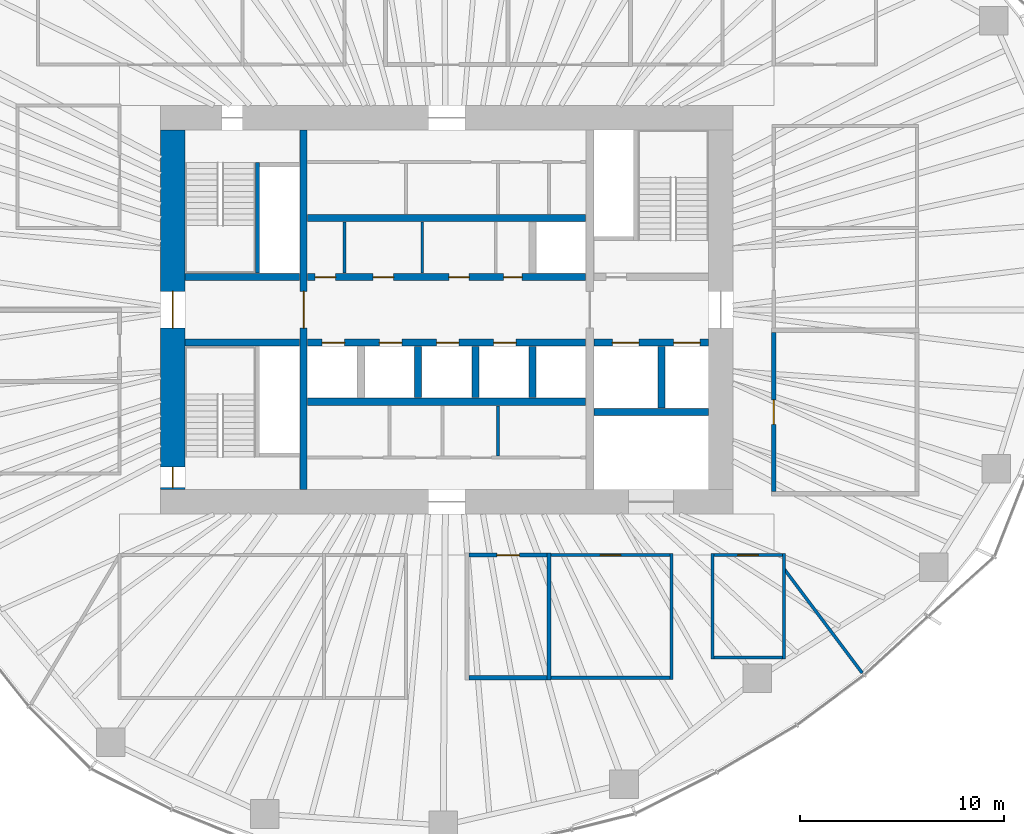
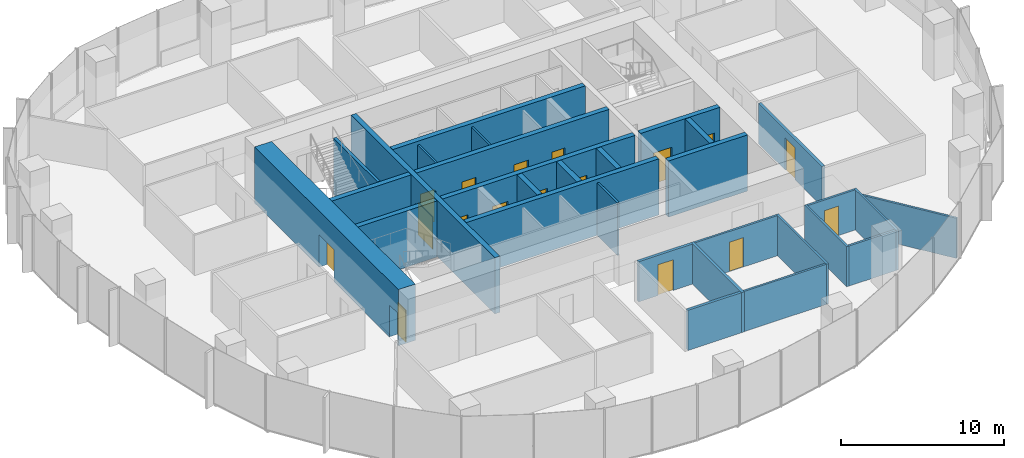
# One storey, part 9 of 18: 30 walls, 17 doors, 17 openings.
"""IFC4 building model written with IfcOpenShell, lengths in metres."""

from ifc_helpers import new_model, si_unit, direction, frame, frame_2d, origin, place, context, subcontext, project, spatial, rectangle, extrude, material, layer, layer_set, type_object, element, fill, save


model = new_model("IFC4")

# Units and contexts
model_context = context("Model", 3, precision=1e-05, world=origin(), true_north=direction((0.0, 1.0)))
body_context = subcontext(model_context, "Body", "Model", "MODEL_VIEW")
ifc_project = project(units=[si_unit("LENGTHUNIT", "METRE"), si_unit("AREAUNIT", "SQUARE_METRE"), si_unit("VOLUMEUNIT", "CUBIC_METRE"), si_unit("PLANEANGLEUNIT", "RADIAN"), si_unit("MASSUNIT", "GRAM", prefix="KILO")], contexts=[model_context])

# Site, building, storey
site_placement = place(None, origin())
site = spatial("IfcSite", under=ifc_project, at=site_placement, CompositionType="ELEMENT")
building_placement = place(site_placement, origin())
building = spatial("IfcBuilding", under=site, at=building_placement, Name="Ghaith Harvest Tower", CompositionType="ELEMENT")
storey_placement = place(building_placement, frame((0.0, 0.0, 159.60009765625)))
storey = spatial("IfcBuildingStorey", under=building, at=storey_placement, Name="L34", CompositionType="ELEMENT", Elevation=159.60009765625)

# Wall
ifc_material_1 = material(Name="Twin-stud gypsum board, acoustic", Category="gypsum")
ifc_layer_1 = layer(ifc_material_1, 0.199951171875)
ifc_layer_set_1 = layer_set([ifc_layer_1], Name="ACOUSTIC PARTITION 200")
wall_type_1 = type_object("IfcWallType", Name="ACOUSTIC PARTITION 200", PredefinedType="PARTITIONING", material=ifc_layer_set_1)
wall_1_placement = place(storey_placement, frame((5.0, -11.89990234375, 0.0), z_axis=(0.0, 0.0, 1.0), x_axis=(0.0, -1.0, 0.0)))
element("IfcWall", 1, at=wall_1_placement, inside=storey, type_object=wall_type_1, Name="Partition L34 row S2 cross wall 2", PredefinedType="PARTITIONING", context=body_context, shape_type="SweptSolid", body=[
    extrude(rectangle(XDim=6.2001953125, YDim=0.199951171875, at=frame_2d((3.10009765625, 0.0))), origin(), (0.0, 0.0, 1.0), 3.0),
])

# Wall, opening, door
wall_2_placement = place(storey_placement, frame((1.10009765625, -12.0, 0.0), z_axis=(0.0, 0.0, 1.0), x_axis=(1.0, 0.0, 0.0)))
wall_2 = element("IfcWall", 2, at=wall_2_placement, inside=storey, type_object=wall_type_1, Name="Partition L34-03", PredefinedType="PARTITIONING", context=body_context, shape_type="SweptSolid", body=[
    extrude(rectangle(XDim=3.7998046875, YDim=0.199951171875, at=frame_2d((1.89990234375, 0.0))), origin(), (0.0, 0.0, 1.0), 3.0),
])
opening_1_placement = place(wall_2_placement, frame((1.35009765625, 0.0, 0.0)))
opening_1 = element("IfcOpeningElement", 3, at=opening_1_placement, cuts=wall_2, Name="Opening 34-031", PredefinedType="OPENING", context=body_context, shape_type="SweptSolid", body=[
    extrude(rectangle(XDim=1.10009765625, YDim=2.300048828125, at=frame_2d((0.550048828125, 1.14990234375))), frame((0.0, 0.10986328125, 0.0), z_axis=(0.0, -1.0, 0.0), x_axis=(1.0, 0.0, 0.0)), (0.0, 0.0, 1.0), 0.219970703125),
])
ifc_material_2 = material(Name="Timber-framed glazed door", Category="wood")
door_type_1 = type_object("IfcDoorType", Name="D12 GLAZED OFFICE 1100x2300", OperationType="SINGLE_SWING_LEFT", PredefinedType="DOOR", material=ifc_material_2)
door_1_placement = place(opening_1_placement, origin())
door_1 = element("IfcDoor", 4, at=door_1_placement, inside=storey, type_object=door_type_1, Name="Focus room door", OperationType="SINGLE_SWING_LEFT", OverallHeight=2.300048828125, OverallWidth=1.10009765625, PredefinedType="DOOR", context=body_context, shape_type="SweptSolid", body=[
    extrude(rectangle(XDim=1.10009765625, YDim=2.300048828125, at=frame_2d((0.550048828125, 1.14990234375))), frame((0.0, 0.02490234375, 0.0), z_axis=(0.0, -1.0, 0.0), x_axis=(1.0, 0.0, 0.0)), (0.0, 0.0, 1.0), 0.050048828125),
])
fill(opening_1, door_1)

# Wall
wall_3_placement = place(storey_placement, frame((1.10009765625, -18.0, 0.0), z_axis=(0.0, 0.0, 1.0), x_axis=(1.0, 0.0, 0.0)))
element("IfcWall", 5, at=wall_3_placement, inside=storey, type_object=wall_type_1, Name="Partition L34-03", PredefinedType="PARTITIONING", context=body_context, shape_type="SweptSolid", body=[
    extrude(rectangle(XDim=3.7998046875, YDim=0.199951171875, at=frame_2d((1.89990234375, 0.0))), origin(), (0.0, 0.0, 1.0), 3.0),
])

# Wall, opening, door
wall_4_placement = place(storey_placement, frame((16.0, -8.89990234375, 0.0), z_axis=(0.0, 0.0, 1.0), x_axis=(0.0, 1.0, 0.0)))
wall_4 = element("IfcWall", 6, at=wall_4_placement, inside=storey, type_object=wall_type_1, Name="Partition L34-10", PredefinedType="PARTITIONING", context=body_context, shape_type="SweptSolid", body=[
    extrude(rectangle(XDim=7.7998046875, YDim=0.199951171875, at=frame_2d((3.89990234375, 0.0))), origin(), (0.0, 0.0, 1.0), 3.0),
])
opening_2_placement = place(wall_4_placement, frame((3.300048828125, 0.0, 0.0)))
opening_2 = element("IfcOpeningElement", 7, at=opening_2_placement, cuts=wall_4, Name="Opening 34-038", PredefinedType="OPENING", context=body_context, shape_type="SweptSolid", body=[
    extrude(rectangle(XDim=1.199951171875, YDim=2.39990234375, at=frame_2d((0.60009765625, 1.199951171875))), frame((0.0, 0.10986328125, 0.0), z_axis=(0.0, -1.0, 0.0), x_axis=(1.0, 0.0, 0.0)), (0.0, 0.0, 1.0), 0.219970703125),
])
ifc_material_3 = material(Name="Timber door", Category="wood")
door_type_2 = type_object("IfcDoorType", Name="D11 GLAZED 1200x2400", OperationType="SINGLE_SWING_LEFT", PredefinedType="DOOR", material=ifc_material_3)
door_2_placement = place(opening_2_placement, origin())
door_2 = element("IfcDoor", 8, at=door_2_placement, inside=storey, type_object=door_type_2, Name="Focus group room door", OperationType="SINGLE_SWING_LEFT", OverallHeight=2.39990234375, OverallWidth=1.199951171875, PredefinedType="DOOR", context=body_context, shape_type="SweptSolid", body=[
    extrude(rectangle(XDim=1.199951171875, YDim=2.39990234375, at=frame_2d((0.60009765625, 1.199951171875))), frame((0.0, 0.02490234375, 0.0), z_axis=(0.0, -1.0, 0.0), x_axis=(1.0, 0.0, 0.0)), (0.0, 0.0, 1.0), 0.050048828125),
])
fill(opening_2, door_2)

# Walls
ifc_material_4 = material(Name="Concrete blockwork, fair-faced", Category="masonry")
ifc_layer_2 = layer(ifc_material_4, 0.139892578125)
ifc_layer_set_2 = layer_set([ifc_layer_2], Name="CORE PARTITION 140")
wall_type_2 = type_object("IfcWallType", Name="CORE PARTITION 140", PredefinedType="PARTITIONING", material=ifc_layer_set_2)
wall_5_placement = place(storey_placement, frame((2.5, -4.699951171875, 0.0), z_axis=(0.0, 0.0, 1.0), x_axis=(0.0, -1.0, 0.0)))
element("IfcWall", 9, at=wall_5_placement, inside=storey, type_object=wall_type_2, Name="Core partition L34", PredefinedType="PARTITIONING", context=body_context, shape_type="SweptSolid", body=[
    extrude(rectangle(XDim=2.4599609375, YDim=0.139892578125, at=frame_2d((1.22998046875, 0.0))), origin(), (0.0, 0.0, 1.0), 3.949951171875),
])
for number, where, z_axis, x_axis, name in (
    (10, (-5.0, 1.800048828125, 0.0), (0.0, 0.0, 1.0), (0.0, 1.0, 0.0), "Core partition L34"),
    (11, (-1.199951171875, 1.800048828125, 0.0), (0.0, 0.0, 1.0), (0.0, 1.0, 0.0), "Core partition L34"),
):
    element("IfcWall", number, at=place(storey_placement, frame(where, z_axis=z_axis, x_axis=x_axis)), inside=storey, type_object=wall_type_2, Name=name, PredefinedType="PARTITIONING", context=body_context, shape_type="SweptSolid", body=[
        extrude(rectangle(XDim=2.5, YDim=0.139892578125, at=frame_2d((1.25, 0.0))), origin(), (0.0, 0.0, 1.0), 3.949951171875),
    ])

# Wall, openings, doors
ifc_material_5 = material(Name="Concrete C60/75", Category="concrete")
ifc_layer_3 = layer(ifc_material_5, 1.199951171875)
ifc_layer_set_3 = layer_set([ifc_layer_3], Name="CORE WALL CW1200 C60")
wall_type_3 = type_object("IfcWallType", Name="CORE WALL CW1200 C60", PredefinedType="SHEAR", material=ifc_layer_set_3)
wall_6_placement = place(storey_placement, frame((-13.39990234375, 8.800048828125, 0.0), z_axis=(0.0, 0.0, 1.0), x_axis=(0.0, -1.0, 0.0)))
wall_6 = element("IfcWall", 12, at=wall_6_placement, inside=storey, type_object=wall_type_3, Name="Core wall W L34", PredefinedType="SHEAR", context=body_context, shape_type="SweptSolid", body=[
    extrude(rectangle(XDim=17.60009765625, YDim=1.199951171875, at=frame_2d((8.800048828125, 0.0))), origin(), (0.0, 0.0, 1.0), 4.199951171875),
])
opening_3_placement = place(wall_6_placement, frame((7.89990234375, 0.0, 0.0)))
opening_3 = element("IfcOpeningElement", 13, at=opening_3_placement, cuts=wall_6, Name="Opening 34-001", PredefinedType="OPENING", context=body_context, shape_type="SweptSolid", body=[
    extrude(rectangle(XDim=1.800048828125, YDim=2.39990234375, at=frame_2d((0.89990234375, 1.199951171875))), frame((0.0, 0.60986328125, 0.0), z_axis=(0.0, -1.0, 0.0), x_axis=(1.0, 0.0, 0.0)), (0.0, 0.0, 1.0), 1.219970703125),
])
opening_4_placement = place(wall_6_placement, frame((16.5, 0.0, 0.0)))
opening_4 = element("IfcOpeningElement", 14, at=opening_4_placement, cuts=wall_6, Name="Opening 34-006", PredefinedType="OPENING", context=body_context, shape_type="SweptSolid", body=[
    extrude(rectangle(XDim=1.0, YDim=2.39990234375, at=frame_2d((0.5, 1.199951171875))), frame((0.0, 0.60986328125, 0.0), z_axis=(0.0, -1.0, 0.0), x_axis=(1.0, 0.0, 0.0)), (0.0, 0.0, 1.0), 1.219970703125),
])
ifc_material_6 = material(Name="Steel fire door", Category="steel")
door_type_3 = type_object("IfcDoorType", Name="D3 FD90 1000x2400", OperationType="SINGLE_SWING_LEFT", PredefinedType="DOOR", material=ifc_material_6)
door_3_placement = place(opening_4_placement, origin())
door_3 = element("IfcDoor", 15, at=door_3_placement, inside=storey, type_object=door_type_3, Name="Stair ST3 door", OperationType="SINGLE_SWING_RIGHT", OverallHeight=2.39990234375, OverallWidth=1.0, PredefinedType="DOOR", context=body_context, shape_type="SweptSolid", body=[
    extrude(rectangle(XDim=1.0, YDim=2.39990234375, at=frame_2d((0.5, 1.199951171875))), frame((0.0, 0.02490234375, 0.0), z_axis=(0.0, -1.0, 0.0), x_axis=(1.0, 0.0, 0.0)), (0.0, 0.0, 1.0), 0.050048828125),
])
fill(opening_4, door_3)
ifc_material_7 = material(Name="Steel fire door", Category="steel")
door_type_4 = type_object("IfcDoorType", Name="D4 FD90 PAIR 1800x2400", OperationType="DOUBLE_DOOR_SINGLE_SWING", PredefinedType="DOOR", material=ifc_material_7)
door_4_placement = place(opening_3_placement, origin())
door_4 = element("IfcDoor", 16, at=door_4_placement, inside=storey, type_object=door_type_4, Name="West lobby doors", OperationType="DOUBLE_DOOR_SINGLE_SWING", OverallHeight=2.39990234375, OverallWidth=1.800048828125, PredefinedType="DOOR", context=body_context, shape_type="SweptSolid", body=[
    extrude(rectangle(XDim=1.800048828125, YDim=2.39990234375, at=frame_2d((0.89990234375, 1.199951171875))), frame((0.0, 0.02490234375, 0.0), z_axis=(0.0, -1.0, 0.0), x_axis=(1.0, 0.0, 0.0)), (0.0, 0.0, 1.0), 0.050048828125),
])
fill(opening_3, door_4)

# Wall
ifc_material_8 = material(Name="Gypsum board on steel studs", Category="steel")
ifc_layer_4 = layer(ifc_material_8, 0.14990234375)
ifc_layer_set_4 = layer_set([ifc_layer_4], Name="PARTITION 150")
wall_type_4 = type_object("IfcWallType", Name="PARTITION 150", PredefinedType="PARTITIONING", material=ifc_layer_set_4)
wall_7_placement = place(storey_placement, frame((11.0, -11.925048828125, 0.0), z_axis=(0.0, 0.0, 1.0), x_axis=(0.0, -1.0, 0.0)))
element("IfcWall", 17, at=wall_7_placement, inside=storey, type_object=wall_type_4, Name="Partition L34 row S2 cross wall 3", PredefinedType="PARTITIONING", context=body_context, shape_type="SweptSolid", body=[
    extrude(rectangle(XDim=6.14990234375, YDim=0.14990234375, at=frame_2d((3.074951171875, 0.0))), origin(), (0.0, 0.0, 1.0), 3.0),
])

# Wall, opening, door
wall_8_placement = place(storey_placement, frame((5.10009765625, -12.0, 0.0), z_axis=(0.0, 0.0, 1.0), x_axis=(1.0, 0.0, 0.0)))
wall_8 = element("IfcWall", 18, at=wall_8_placement, inside=storey, type_object=wall_type_4, Name="Partition L34-04", PredefinedType="PARTITIONING", context=body_context, shape_type="SweptSolid", body=[
    extrude(rectangle(XDim=5.824951171875, YDim=0.14990234375, at=frame_2d((2.91259765625, 0.0))), origin(), (0.0, 0.0, 1.0), 3.0),
])
opening_5_placement = place(wall_8_placement, frame((2.41259765625, 0.0, 0.0)))
opening_5 = element("IfcOpeningElement", 19, at=opening_5_placement, cuts=wall_8, Name="Opening 34-032", PredefinedType="OPENING", context=body_context, shape_type="SweptSolid", body=[
    extrude(rectangle(XDim=1.0, YDim=2.199951171875, at=frame_2d((0.5, 1.10009765625))), frame((0.0, 0.0849609375, 0.0), z_axis=(0.0, -1.0, 0.0), x_axis=(1.0, 0.0, 0.0)), (0.0, 0.0, 1.0), 0.169921875),
])
ifc_material_9 = material(Name="Timber door", Category="wood")
door_type_5 = type_object("IfcDoorType", Name="D1 SINGLE 1000x2200", OperationType="SINGLE_SWING_LEFT", PredefinedType="DOOR", material=ifc_material_9)
door_5_placement = place(opening_5_placement, origin())
door_5 = element("IfcDoor", 20, at=door_5_placement, inside=storey, type_object=door_type_5, Name="Print room door", OperationType="SINGLE_SWING_LEFT", OverallHeight=2.199951171875, OverallWidth=1.0, PredefinedType="DOOR", context=body_context, shape_type="SweptSolid", body=[
    extrude(rectangle(XDim=1.0, YDim=2.199951171875, at=frame_2d((0.5, 1.10009765625))), frame((0.0, 0.02490234375, 0.0), z_axis=(0.0, -1.0, 0.0), x_axis=(1.0, 0.0, 0.0)), (0.0, 0.0, 1.0), 0.050048828125),
])
fill(opening_5, door_5)

# Walls
wall_9_placement = place(storey_placement, frame((5.10009765625, -18.0, 0.0), z_axis=(0.0, 0.0, 1.0), x_axis=(1.0, 0.0, 0.0)))
element("IfcWall", 21, at=wall_9_placement, inside=storey, type_object=wall_type_4, Name="Partition L34-04", PredefinedType="PARTITIONING", context=body_context, shape_type="SweptSolid", body=[
    extrude(rectangle(XDim=5.824951171875, YDim=0.14990234375, at=frame_2d((2.91259765625, 0.0))), origin(), (0.0, 0.0, 1.0), 3.0),
])
for number, where, z_axis, x_axis, name in (
    (22, (13.0, -11.925048828125, 0.0), (0.0, 0.0, 1.0), (0.0, -1.0, 0.0), "Partition L34 row S8 cross wall 1"),
    (23, (16.5, -11.925048828125, 0.0), (0.0, 0.0, 1.0), (0.0, -1.0, 0.0), "Partition L34 row S8 cross wall 2"),
):
    element("IfcWall", number, at=place(storey_placement, frame(where, z_axis=z_axis, x_axis=x_axis)), inside=storey, type_object=wall_type_4, Name=name, PredefinedType="PARTITIONING", context=body_context, shape_type="SweptSolid", body=[
        extrude(rectangle(XDim=5.14990234375, YDim=0.14990234375, at=frame_2d((2.574951171875, 0.0))), origin(), (0.0, 0.0, 1.0), 3.0),
    ])

# Wall, opening, door
wall_10_placement = place(storey_placement, frame((13.074951171875, -12.0, 0.0), z_axis=(0.0, 0.0, 1.0), x_axis=(1.0, 0.0, 0.0)))
wall_10 = element("IfcWall", 24, at=wall_10_placement, inside=storey, type_object=wall_type_4, Name="Partition L34-16", PredefinedType="PARTITIONING", context=body_context, shape_type="SweptSolid", body=[
    extrude(rectangle(XDim=3.35009765625, YDim=0.14990234375, at=frame_2d((1.675048828125, 0.0))), origin(), (0.0, 0.0, 1.0), 3.0),
])
opening_6_placement = place(wall_10_placement, frame((1.175048828125, 0.0, 0.0)))
opening_6 = element("IfcOpeningElement", 25, at=opening_6_placement, cuts=wall_10, Name="Opening 34-044", PredefinedType="OPENING", context=body_context, shape_type="SweptSolid", body=[
    extrude(rectangle(XDim=1.0, YDim=2.199951171875, at=frame_2d((0.5, 1.10009765625))), frame((0.0, 0.0849609375, 0.0), z_axis=(0.0, -1.0, 0.0), x_axis=(1.0, 0.0, 0.0)), (0.0, 0.0, 1.0), 0.169921875),
])
door_6_placement = place(opening_6_placement, origin())
door_6 = element("IfcDoor", 26, at=door_6_placement, inside=storey, type_object=door_type_5, Name="Store door", OperationType="SINGLE_SWING_LEFT", OverallHeight=2.199951171875, OverallWidth=1.0, PredefinedType="DOOR", context=body_context, shape_type="SweptSolid", body=[
    extrude(rectangle(XDim=1.0, YDim=2.199951171875, at=frame_2d((0.5, 1.10009765625))), frame((0.0, 0.02490234375, 0.0), z_axis=(0.0, -1.0, 0.0), x_axis=(1.0, 0.0, 0.0)), (0.0, 0.0, 1.0), 0.050048828125),
])
fill(opening_6, door_6)

# Walls
wall_11_placement = place(storey_placement, frame((13.074951171875, -17.0, 0.0), z_axis=(0.0, 0.0, 1.0), x_axis=(1.0, 0.0, 0.0)))
element("IfcWall", 27, at=wall_11_placement, inside=storey, type_object=wall_type_4, Name="Partition L34-16", PredefinedType="PARTITIONING", context=body_context, shape_type="SweptSolid", body=[
    extrude(rectangle(XDim=3.35009765625, YDim=0.14990234375, at=frame_2d((1.675048828125, 0.0))), origin(), (0.0, 0.0, 1.0), 3.0),
])
wall_12_placement = place(storey_placement, frame((16.52001953125, -12.693115234375, 0.0), z_axis=(0.0, 0.0, 1.0), x_axis=(0.600036938918, -0.799972294479, 0.0)))
element("IfcWall", 28, at=wall_12_placement, inside=storey, type_object=wall_type_4, Name="Partition L34 zone division", PredefinedType="PARTITIONING", context=body_context, shape_type="SweptSolid", body=[
    extrude(rectangle(XDim=6.3447265625, YDim=0.14990234375, at=frame_2d((3.17236328125, 0.0))), origin(), (0.0, 0.0, 1.0), 3.0),
])

# Wall, opening, door
ifc_material_10 = material(Name="Concrete C60/75", Category="concrete")
ifc_layer_5 = layer(ifc_material_10, 0.35009765625)
ifc_layer_set_5 = layer_set([ifc_layer_5], Name="SHAFT WALL 350")
wall_type_5 = type_object("IfcWallType", Name="SHAFT WALL 350", PredefinedType="SHEAR", material=ifc_layer_set_5)
wall_13_placement = place(storey_placement, frame((-7.0, -8.800048828125, 0.0), z_axis=(0.0, 0.0, 1.0), x_axis=(0.0, 1.0, 0.0)))
wall_13 = element("IfcWall", 29, at=wall_13_placement, inside=storey, type_object=wall_type_5, Name="Shaft wall W7W L34", PredefinedType="SHEAR", context=body_context, shape_type="SweptSolid", body=[
    extrude(rectangle(XDim=17.60009765625, YDim=0.35009765625, at=frame_2d((8.800048828125, 0.0))), origin(), (0.0, 0.0, 1.0), 4.199951171875),
])
opening_7_placement = place(wall_13_placement, frame((7.89990234375, 0.0, 0.0)))
opening_7 = element("IfcOpeningElement", 30, at=opening_7_placement, cuts=wall_13, Name="Opening 34-003", PredefinedType="OPENING", context=body_context, shape_type="SweptSolid", body=[
    extrude(rectangle(XDim=1.800048828125, YDim=2.39990234375, at=frame_2d((0.89990234375, 1.199951171875))), frame((0.0, 0.18505859375, 0.0), z_axis=(0.0, -1.0, 0.0), x_axis=(1.0, 0.0, 0.0)), (0.0, 0.0, 1.0), 0.3701171875),
])
door_7_placement = place(opening_7_placement, origin())
door_7 = element("IfcDoor", 31, at=door_7_placement, inside=storey, type_object=door_type_4, Name="Lift lobby doors, west", OperationType="DOUBLE_DOOR_SINGLE_SWING", OverallHeight=2.39990234375, OverallWidth=1.800048828125, PredefinedType="DOOR", context=body_context, shape_type="SweptSolid", body=[
    extrude(rectangle(XDim=1.800048828125, YDim=2.39990234375, at=frame_2d((0.89990234375, 1.199951171875))), frame((0.0, 0.02490234375, 0.0), z_axis=(0.0, -1.0, 0.0), x_axis=(1.0, 0.0, 0.0)), (0.0, 0.0, 1.0), 0.050048828125),
])
fill(opening_7, door_7)

# Wall, openings, doors
wall_14_placement = place(storey_placement, frame((-6.800048828125, 1.60009765625, 0.0), z_axis=(0.0, 0.0, 1.0), x_axis=(1.0, 0.0, 0.0)))
wall_14 = element("IfcWall", 32, at=wall_14_placement, inside=storey, type_object=wall_type_5, Name="Shaft wall LN L34", PredefinedType="SHEAR", context=body_context, shape_type="SweptSolid", body=[
    extrude(rectangle(XDim=13.60009765625, YDim=0.35009765625, at=frame_2d((6.800048828125, 0.0))), origin(), (0.0, 0.0, 1.0), 4.199951171875),
])
opening_8_placement = place(wall_14_placement, frame((0.364990234375, 0.0, 0.0)))
opening_8 = element("IfcOpeningElement", 33, at=opening_8_placement, cuts=wall_14, Name="Opening 34-016", PredefinedType="OPENING", context=body_context, shape_type="SweptSolid", body=[
    extrude(rectangle(XDim=1.0, YDim=2.39990234375, at=frame_2d((0.5, 1.199951171875))), frame((0.0, 0.18505859375, 0.0), z_axis=(0.0, -1.0, 0.0), x_axis=(1.0, 0.0, 0.0)), (0.0, 0.0, 1.0), 0.3701171875),
])
opening_9_placement = place(wall_14_placement, frame((3.199951171875, 0.0, 0.0)))
opening_9 = element("IfcOpeningElement", 34, at=opening_9_placement, cuts=wall_14, Name="Opening 34-017", PredefinedType="OPENING", context=body_context, shape_type="SweptSolid", body=[
    extrude(rectangle(XDim=1.0, YDim=2.39990234375, at=frame_2d((0.5, 1.199951171875))), frame((0.0, 0.18505859375, 0.0), z_axis=(0.0, -1.0, 0.0), x_axis=(1.0, 0.0, 0.0)), (0.0, 0.0, 1.0), 0.3701171875),
])
opening_10_placement = place(wall_14_placement, frame((6.89990234375, 0.0, 0.0)))
opening_10 = element("IfcOpeningElement", 35, at=opening_10_placement, cuts=wall_14, Name="Opening 34-018", PredefinedType="OPENING", context=body_context, shape_type="SweptSolid", body=[
    extrude(rectangle(XDim=1.0, YDim=2.39990234375, at=frame_2d((0.5, 1.199951171875))), frame((0.0, 0.18505859375, 0.0), z_axis=(0.0, -1.0, 0.0), x_axis=(1.0, 0.0, 0.0)), (0.0, 0.0, 1.0), 0.3701171875),
])
opening_11_placement = place(wall_14_placement, frame((9.5849609375, 0.0, 0.0)))
opening_11 = element("IfcOpeningElement", 36, at=opening_11_placement, cuts=wall_14, Name="Opening 34-019", PredefinedType="OPENING", context=body_context, shape_type="SweptSolid", body=[
    extrude(rectangle(XDim=0.89990234375, YDim=2.39990234375, at=frame_2d((0.449951171875, 1.199951171875))), frame((0.0, 0.18505859375, 0.0), z_axis=(0.0, -1.0, 0.0), x_axis=(1.0, 0.0, 0.0)), (0.0, 0.0, 1.0), 0.3701171875),
])
door_8_placement = place(opening_8_placement, origin())
door_8 = element("IfcDoor", 37, at=door_8_placement, inside=storey, type_object=door_type_3, Name="First aid room door", OperationType="SINGLE_SWING_LEFT", OverallHeight=2.39990234375, OverallWidth=1.0, PredefinedType="DOOR", context=body_context, shape_type="SweptSolid", body=[
    extrude(rectangle(XDim=1.0, YDim=2.39990234375, at=frame_2d((0.5, 1.199951171875))), frame((0.0, 0.02490234375, 0.0), z_axis=(0.0, -1.0, 0.0), x_axis=(1.0, 0.0, 0.0)), (0.0, 0.0, 1.0), 0.050048828125),
])
fill(opening_8, door_8)
door_9_placement = place(opening_9_placement, origin())
door_9 = element("IfcDoor", 38, at=door_9_placement, inside=storey, type_object=door_type_3, Name="Tea point door", OperationType="SINGLE_SWING_LEFT", OverallHeight=2.39990234375, OverallWidth=1.0, PredefinedType="DOOR", context=body_context, shape_type="SweptSolid", body=[
    extrude(rectangle(XDim=1.0, YDim=2.39990234375, at=frame_2d((0.5, 1.199951171875))), frame((0.0, 0.02490234375, 0.0), z_axis=(0.0, -1.0, 0.0), x_axis=(1.0, 0.0, 0.0)), (0.0, 0.0, 1.0), 0.050048828125),
])
fill(opening_9, door_9)
door_10_placement = place(opening_10_placement, origin())
door_10 = element("IfcDoor", 39, at=door_10_placement, inside=storey, type_object=door_type_3, Name="Tea point door", OperationType="SINGLE_SWING_RIGHT", OverallHeight=2.39990234375, OverallWidth=1.0, PredefinedType="DOOR", context=body_context, shape_type="SweptSolid", body=[
    extrude(rectangle(XDim=1.0, YDim=2.39990234375, at=frame_2d((0.5, 1.199951171875))), frame((0.0, 0.02490234375, 0.0), z_axis=(0.0, -1.0, 0.0), x_axis=(1.0, 0.0, 0.0)), (0.0, 0.0, 1.0), 0.050048828125),
])
fill(opening_10, door_10)
ifc_material_11 = material(Name="Steel fire door", Category="steel")
door_type_6 = type_object("IfcDoorType", Name="D5 FD90 900x2400", OperationType="SINGLE_SWING_LEFT", PredefinedType="DOOR", material=ifc_material_11)
door_11_placement = place(opening_11_placement, origin())
door_11 = element("IfcDoor", 40, at=door_11_placement, inside=storey, type_object=door_type_6, Name="Lobby store door", OperationType="SINGLE_SWING_RIGHT", OverallHeight=2.39990234375, OverallWidth=0.89990234375, PredefinedType="DOOR", context=body_context, shape_type="SweptSolid", body=[
    extrude(rectangle(XDim=0.89990234375, YDim=2.39990234375, at=frame_2d((0.449951171875, 1.199951171875))), frame((0.0, 0.02490234375, 0.0), z_axis=(0.0, -1.0, 0.0), x_axis=(1.0, 0.0, 0.0)), (0.0, 0.0, 1.0), 0.050048828125),
])
fill(opening_11, door_11)

wall_15_placement = place(storey_placement, frame((-6.800048828125, -1.60009765625, 0.0), z_axis=(0.0, 0.0, 1.0), x_axis=(1.0, 0.0, 0.0)))
wall_15 = element("IfcWall", 41, at=wall_15_placement, inside=storey, type_object=wall_type_5, Name="Shaft wall LS L34", PredefinedType="SHEAR", context=body_context, shape_type="SweptSolid", body=[
    extrude(rectangle(XDim=13.60009765625, YDim=0.35009765625, at=frame_2d((6.800048828125, 0.0))), origin(), (0.0, 0.0, 1.0), 4.199951171875),
])
opening_12_placement = place(wall_15_placement, frame((0.699951171875, 0.0, 0.0)))
opening_12 = element("IfcOpeningElement", 42, at=opening_12_placement, cuts=wall_15, Name="Opening 34-022", PredefinedType="OPENING", context=body_context, shape_type="SweptSolid", body=[
    extrude(rectangle(XDim=1.10009765625, YDim=2.39990234375, at=frame_2d((0.550048828125, 1.199951171875))), frame((0.0, 0.18505859375, 0.0), z_axis=(0.0, -1.0, 0.0), x_axis=(1.0, 0.0, 0.0)), (0.0, 0.0, 1.0), 0.3701171875),
])
opening_13_placement = place(wall_15_placement, frame((3.5, 0.0, 0.0)))
opening_13 = element("IfcOpeningElement", 43, at=opening_13_placement, cuts=wall_15, Name="Opening 34-023", PredefinedType="OPENING", context=body_context, shape_type="SweptSolid", body=[
    extrude(rectangle(XDim=1.10009765625, YDim=2.39990234375, at=frame_2d((0.550048828125, 1.199951171875))), frame((0.0, 0.18505859375, 0.0), z_axis=(0.0, -1.0, 0.0), x_axis=(1.0, 0.0, 0.0)), (0.0, 0.0, 1.0), 0.3701171875),
])
opening_14_placement = place(wall_15_placement, frame((6.300048828125, 0.0, 0.0)))
opening_14 = element("IfcOpeningElement", 44, at=opening_14_placement, cuts=wall_15, Name="Opening 34-024", PredefinedType="OPENING", context=body_context, shape_type="SweptSolid", body=[
    extrude(rectangle(XDim=1.10009765625, YDim=2.39990234375, at=frame_2d((0.550048828125, 1.199951171875))), frame((0.0, 0.18505859375, 0.0), z_axis=(0.0, -1.0, 0.0), x_axis=(1.0, 0.0, 0.0)), (0.0, 0.0, 1.0), 0.3701171875),
])
opening_15_placement = place(wall_15_placement, frame((9.10009765625, 0.0, 0.0)))
opening_15 = element("IfcOpeningElement", 45, at=opening_15_placement, cuts=wall_15, Name="Opening 34-025", PredefinedType="OPENING", context=body_context, shape_type="SweptSolid", body=[
    extrude(rectangle(XDim=1.10009765625, YDim=2.39990234375, at=frame_2d((0.550048828125, 1.199951171875))), frame((0.0, 0.18505859375, 0.0), z_axis=(0.0, -1.0, 0.0), x_axis=(1.0, 0.0, 0.0)), (0.0, 0.0, 1.0), 0.3701171875),
])
ifc_material_12 = material(Name="Steel fire door", Category="steel")
door_type_7 = type_object("IfcDoorType", Name="LD1 LANDING 1100x2400", OperationType="DOUBLE_DOOR_SLIDING", PredefinedType="DOOR", material=ifc_material_12)
door_12_placement = place(opening_12_placement, origin())
door_12 = element("IfcDoor", 46, at=door_12_placement, inside=storey, type_object=door_type_7, Name="Landing door, lift LR1", OperationType="DOUBLE_DOOR_SLIDING", OverallHeight=2.39990234375, OverallWidth=1.10009765625, PredefinedType="DOOR", context=body_context, shape_type="SweptSolid", body=[
    extrude(rectangle(XDim=1.10009765625, YDim=2.39990234375, at=frame_2d((0.550048828125, 1.199951171875))), frame((0.0, 0.02490234375, 0.0), z_axis=(0.0, -1.0, 0.0), x_axis=(1.0, 0.0, 0.0)), (0.0, 0.0, 1.0), 0.050048828125),
])
fill(opening_12, door_12)
door_13_placement = place(opening_13_placement, origin())
door_13 = element("IfcDoor", 47, at=door_13_placement, inside=storey, type_object=door_type_7, Name="Landing door, lift LR2", OperationType="DOUBLE_DOOR_SLIDING", OverallHeight=2.39990234375, OverallWidth=1.10009765625, PredefinedType="DOOR", context=body_context, shape_type="SweptSolid", body=[
    extrude(rectangle(XDim=1.10009765625, YDim=2.39990234375, at=frame_2d((0.550048828125, 1.199951171875))), frame((0.0, 0.02490234375, 0.0), z_axis=(0.0, -1.0, 0.0), x_axis=(1.0, 0.0, 0.0)), (0.0, 0.0, 1.0), 0.050048828125),
])
fill(opening_13, door_13)
door_14_placement = place(opening_14_placement, origin())
door_14 = element("IfcDoor", 48, at=door_14_placement, inside=storey, type_object=door_type_7, Name="Landing door, lift LR3", OperationType="DOUBLE_DOOR_SLIDING", OverallHeight=2.39990234375, OverallWidth=1.10009765625, PredefinedType="DOOR", context=body_context, shape_type="SweptSolid", body=[
    extrude(rectangle(XDim=1.10009765625, YDim=2.39990234375, at=frame_2d((0.550048828125, 1.199951171875))), frame((0.0, 0.02490234375, 0.0), z_axis=(0.0, -1.0, 0.0), x_axis=(1.0, 0.0, 0.0)), (0.0, 0.0, 1.0), 0.050048828125),
])
fill(opening_14, door_14)
door_15_placement = place(opening_15_placement, origin())
door_15 = element("IfcDoor", 49, at=door_15_placement, inside=storey, type_object=door_type_7, Name="Landing door, lift LR4", OperationType="DOUBLE_DOOR_SLIDING", OverallHeight=2.39990234375, OverallWidth=1.10009765625, PredefinedType="DOOR", context=body_context, shape_type="SweptSolid", body=[
    extrude(rectangle(XDim=1.10009765625, YDim=2.39990234375, at=frame_2d((0.550048828125, 1.199951171875))), frame((0.0, 0.02490234375, 0.0), z_axis=(0.0, -1.0, 0.0), x_axis=(1.0, 0.0, 0.0)), (0.0, 0.0, 1.0), 0.050048828125),
])
fill(opening_15, door_15)

# Walls
for number, where, z_axis, x_axis, name in (
    (50, (-6.800048828125, 4.5, 0.0), (0.0, 0.0, 1.0), (1.0, 0.0, 0.0), "Shaft wall BN L34"),
    (51, (-6.800048828125, -4.5, 0.0), (0.0, 0.0, 1.0), (1.0, 0.0, 0.0), "Shaft wall BS L34"),
):
    element("IfcWall", number, at=place(storey_placement, frame(where, z_axis=z_axis, x_axis=x_axis)), inside=storey, type_object=wall_type_5, Name=name, PredefinedType="SHEAR", context=body_context, shape_type="SweptSolid", body=[
        extrude(rectangle(XDim=13.60009765625, YDim=0.35009765625, at=frame_2d((6.800048828125, 0.0))), origin(), (0.0, 0.0, 1.0), 4.199951171875),
    ])
for number, where, z_axis, x_axis, name in (
    (52, (-12.800048828125, 1.60009765625, 0.0), (0.0, 0.0, 1.0), (1.0, 0.0, 0.0), "Shaft wall WN L34"),
    (53, (-12.800048828125, -1.60009765625, 0.0), (0.0, 0.0, 1.0), (1.0, 0.0, 0.0), "Shaft wall WS L34"),
):
    element("IfcWall", number, at=place(storey_placement, frame(where, z_axis=z_axis, x_axis=x_axis)), inside=storey, type_object=wall_type_5, Name=name, PredefinedType="SHEAR", context=body_context, shape_type="SweptSolid", body=[
        extrude(rectangle(XDim=5.60009765625, YDim=0.35009765625, at=frame_2d((2.800048828125, 0.0))), origin(), (0.0, 0.0, 1.0), 4.199951171875),
    ])

# Wall, openings, doors
wall_16_placement = place(storey_placement, frame((7.199951171875, -1.60009765625, 0.0), z_axis=(0.0, 0.0, 1.0), x_axis=(1.0, 0.0, 0.0)))
wall_16 = element("IfcWall", 54, at=wall_16_placement, inside=storey, type_object=wall_type_5, Name="Shaft wall ES L34", PredefinedType="SHEAR", context=body_context, shape_type="SweptSolid", body=[
    extrude(rectangle(XDim=5.60009765625, YDim=0.35009765625, at=frame_2d((2.800048828125, 0.0))), origin(), (0.0, 0.0, 1.0), 4.199951171875),
])
opening_16_placement = place(wall_16_placement, frame((0.89990234375, 0.0, 0.0)))
opening_16 = element("IfcOpeningElement", 55, at=opening_16_placement, cuts=wall_16, Name="Opening 34-026", PredefinedType="OPENING", context=body_context, shape_type="SweptSolid", body=[
    extrude(rectangle(XDim=1.300048828125, YDim=2.39990234375, at=frame_2d((0.64990234375, 1.199951171875))), frame((0.0, 0.18505859375, 0.0), z_axis=(0.0, -1.0, 0.0), x_axis=(1.0, 0.0, 0.0)), (0.0, 0.0, 1.0), 0.3701171875),
])
opening_17_placement = place(wall_16_placement, frame((3.89990234375, 0.0, 0.0)))
opening_17 = element("IfcOpeningElement", 56, at=opening_17_placement, cuts=wall_16, Name="Opening 34-027", PredefinedType="OPENING", context=body_context, shape_type="SweptSolid", body=[
    extrude(rectangle(XDim=1.300048828125, YDim=2.39990234375, at=frame_2d((0.64990234375, 1.199951171875))), frame((0.0, 0.18505859375, 0.0), z_axis=(0.0, -1.0, 0.0), x_axis=(1.0, 0.0, 0.0)), (0.0, 0.0, 1.0), 0.3701171875),
])
ifc_material_13 = material(Name="Steel fire door", Category="steel")
door_type_8 = type_object("IfcDoorType", Name="LD2 LANDING 1300x2400", OperationType="DOUBLE_DOOR_SLIDING", PredefinedType="DOOR", material=ifc_material_13)
door_16_placement = place(opening_16_placement, origin())
door_16 = element("IfcDoor", 57, at=door_16_placement, inside=storey, type_object=door_type_8, Name="Landing door, fire service lift FL1", OperationType="DOUBLE_DOOR_SLIDING", OverallHeight=2.39990234375, OverallWidth=1.300048828125, PredefinedType="DOOR", context=body_context, shape_type="SweptSolid", body=[
    extrude(rectangle(XDim=1.300048828125, YDim=2.39990234375, at=frame_2d((0.64990234375, 1.199951171875))), frame((0.0, 0.02490234375, 0.0), z_axis=(0.0, -1.0, 0.0), x_axis=(1.0, 0.0, 0.0)), (0.0, 0.0, 1.0), 0.050048828125),
])
fill(opening_16, door_16)
door_17_placement = place(opening_17_placement, origin())
door_17 = element("IfcDoor", 58, at=door_17_placement, inside=storey, type_object=door_type_8, Name="Landing door, fire service lift FL2", OperationType="DOUBLE_DOOR_SLIDING", OverallHeight=2.39990234375, OverallWidth=1.300048828125, PredefinedType="DOOR", context=body_context, shape_type="SweptSolid", body=[
    extrude(rectangle(XDim=1.300048828125, YDim=2.39990234375, at=frame_2d((0.64990234375, 1.199951171875))), frame((0.0, 0.02490234375, 0.0), z_axis=(0.0, -1.0, 0.0), x_axis=(1.0, 0.0, 0.0)), (0.0, 0.0, 1.0), 0.050048828125),
])
fill(opening_17, door_17)

# Walls
wall_17_placement = place(storey_placement, frame((10.5, -4.800048828125, 0.0), z_axis=(0.0, 0.0, 1.0), x_axis=(0.0, 1.0, 0.0)))
element("IfcWall", 59, at=wall_17_placement, inside=storey, type_object=wall_type_5, Name="Shaft wall FLD L34", PredefinedType="SHEAR", context=body_context, shape_type="SweptSolid", body=[
    extrude(rectangle(XDim=3.0, YDim=0.35009765625, at=frame_2d((1.5, 0.0))), origin(), (0.0, 0.0, 1.0), 4.199951171875),
])
wall_18_placement = place(storey_placement, frame((7.199951171875, -5.0, 0.0), z_axis=(0.0, 0.0, 1.0), x_axis=(1.0, 0.0, 0.0)))
element("IfcWall", 60, at=wall_18_placement, inside=storey, type_object=wall_type_5, Name="Shaft wall FLB L34", PredefinedType="SHEAR", context=body_context, shape_type="SweptSolid", body=[
    extrude(rectangle(XDim=5.60009765625, YDim=0.35009765625, at=frame_2d((2.800048828125, 0.0))), origin(), (0.0, 0.0, 1.0), 4.199951171875),
])
for number, where, z_axis, x_axis, name in (
    (61, (-1.39990234375, -4.300048828125, 0.0), (0.0, 0.0, 1.0), (0.0, 1.0, 0.0), "Shaft wall DS2 L34"),
    (62, (1.39990234375, -4.300048828125, 0.0), (0.0, 0.0, 1.0), (0.0, 1.0, 0.0), "Shaft wall DS3 L34"),
    (63, (4.199951171875, -4.300048828125, 0.0), (0.0, 0.0, 1.0), (0.0, 1.0, 0.0), "Shaft wall DS4 L34"),
):
    element("IfcWall", number, at=place(storey_placement, frame(where, z_axis=z_axis, x_axis=x_axis)), inside=storey, type_object=wall_type_5, Name=name, PredefinedType="SHEAR", context=body_context, shape_type="SweptSolid", body=[
        extrude(rectangle(XDim=2.5, YDim=0.35009765625, at=frame_2d((1.25, 0.0))), origin(), (0.0, 0.0, 1.0), 4.199951171875),
    ])
ifc_material_14 = material(Name="Concrete C40/50", Category="concrete")
ifc_layer_6 = layer(ifc_material_14, 0.199951171875)
ifc_layer_set_6 = layer_set([ifc_layer_6], Name="STAIR SPINE WALL RC200")
wall_type_6 = type_object("IfcWallType", Name="STAIR SPINE WALL RC200", PredefinedType="SOLIDWALL", material=ifc_layer_set_6)
wall_19_placement = place(storey_placement, frame((-9.25, 7.199951171875, 0.0), z_axis=(0.0, 0.0, 1.0), x_axis=(0.0, -1.0, 0.0)))
element("IfcWall", 64, at=wall_19_placement, inside=storey, type_object=wall_type_6, Name="Stair ST1 spine wall L34", PredefinedType="SOLIDWALL", context=body_context, shape_type="SweptSolid", body=[
    extrude(rectangle(XDim=5.39990234375, YDim=0.199951171875, at=frame_2d((2.699951171875, 0.0))), origin(), (0.0, 0.0, 1.0), 4.199951171875),
])

save(model, "model.ifc")
